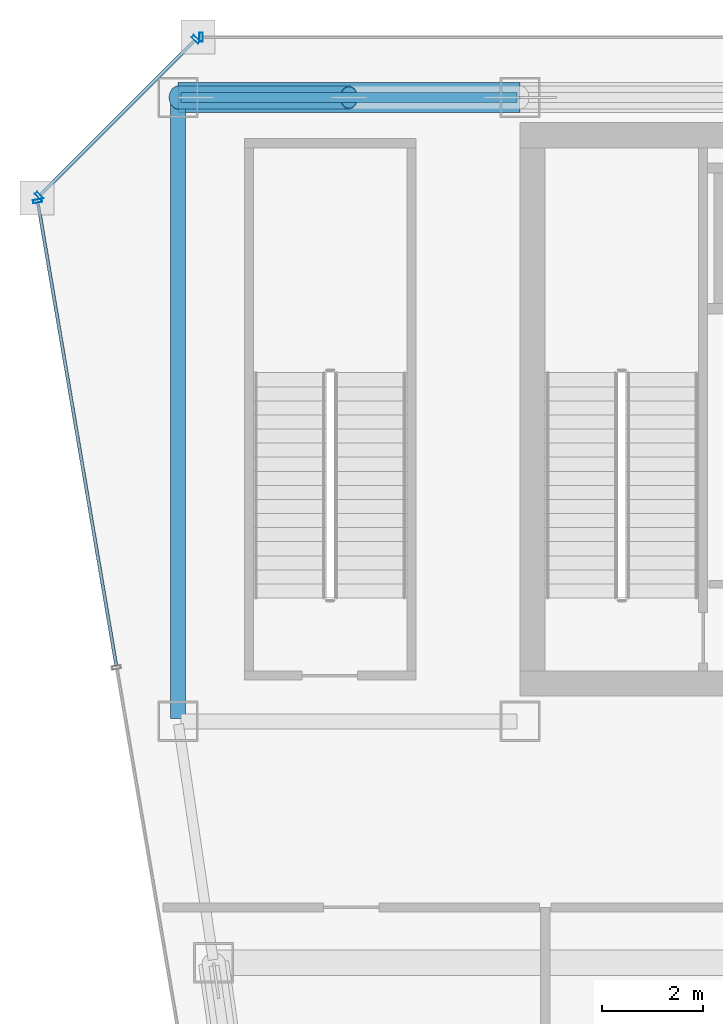
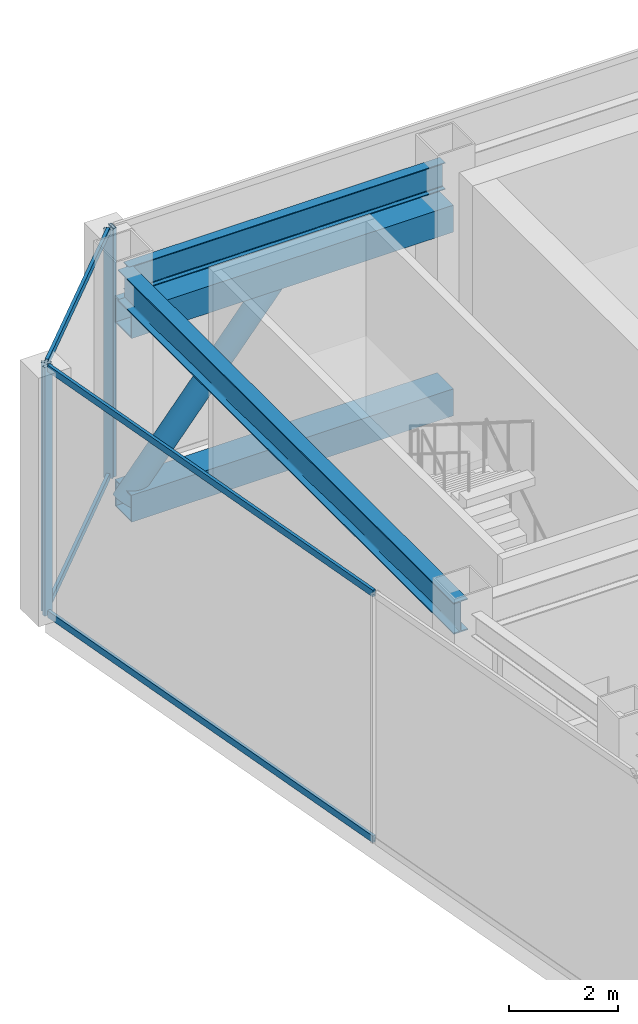
# One storey, part 21 of 34: 11 members, 2 beams, 3 elements without a shape of their own.
"""IFC4 building model written with IfcOpenShell, lengths in metres."""

from ifc_helpers import new_model, si_unit, direction, frame, origin, origin_2d, place, context, subcontext, project, spatial, hollow_rectangle, hollow_circle, i_section, extrude, material, material_profile, profile_set, type_object, element, aggregate, save


model = new_model("IFC4")

# Units and contexts
model_context = context("Model", 3, precision=1e-05, world=origin(), true_north=direction((0.0, 1.0)))
body_context = subcontext(model_context, "Body", "Model", "MODEL_VIEW")
ifc_project = project(units=[si_unit("LENGTHUNIT", "METRE"), si_unit("AREAUNIT", "SQUARE_METRE"), si_unit("VOLUMEUNIT", "CUBIC_METRE"), si_unit("PLANEANGLEUNIT", "RADIAN"), si_unit("MASSUNIT", "GRAM", prefix="KILO")], contexts=[model_context])

# Site, building, storey
site_placement = place(None, origin())
site = spatial("IfcSite", under=ifc_project, at=site_placement, CompositionType="ELEMENT")
building_placement = place(site_placement, origin())
building = spatial("IfcBuilding", under=site, at=building_placement, Name="Saevonmaru Cultural Tower", CompositionType="ELEMENT")
storey_placement = place(building_placement, frame((0.0, 0.0, 224.60009765625)))
storey = spatial("IfcBuildingStorey", under=building, at=storey_placement, Name="L52", CompositionType="ELEMENT", Elevation=224.60009765625)

# Beams
ifc_material_1 = material(Name="Steel SM355", Category="steel")
ifc_material_profile_1 = material_profile(ifc_material_1, i_section(OverallWidth=0.300048828125, OverallDepth=0.699951171875, WebThickness=0.012939453125, FlangeThickness=0.02392578125, FilletRadius=0.02587890625, at=origin_2d()), Name="H-700x300x13x24")
ifc_profile_set_1 = profile_set([ifc_material_profile_1], Name="Steel SM355")
beam_type_1 = type_object("IfcBeamType", Name="BM-G-H700", PredefinedType="BEAM", material=ifc_profile_set_1)
beam_1_placement = place(storey_placement, frame((6.800048828125, 54.739990234375, 5.199951171875), z_axis=(0.0, -1.0, 0.0), x_axis=(1.0, 0.0, 0.0)))
element("IfcBeam", 1, at=beam_1_placement, inside=storey, type_object=beam_type_1, Name="L52 Spine Transverse Girder W", PredefinedType="BEAM", context=body_context, shape_type="SweptSolid", body=[
    extrude(i_section(OverallWidth=0.300048828125, OverallDepth=0.699951171875, WebThickness=0.012939453125, FlangeThickness=0.02392578125, FilletRadius=0.02587890625, at=origin_2d()), origin(), (0.0, 0.0, 1.0), 12.280029296875),
])
ifc_material_profile_2 = material_profile(ifc_material_1, i_section(OverallWidth=0.199951171875, OverallDepth=0.60009765625, WebThickness=0.010986328125, FlangeThickness=0.01708984375, FilletRadius=0.02197265625, at=origin_2d()), Name="H-600x200x11x17")
ifc_profile_set_2 = profile_set([ifc_material_profile_2], Name="Steel SM355")
beam_type_2 = type_object("IfcBeamType", Name="BM-SP-H600", PredefinedType="SPANDREL", material=ifc_profile_set_2)
beam_2_placement = place(storey_placement, frame((6.860107421875, 54.800048828125, 5.25), z_axis=(1.0, 0.0, 0.0), x_axis=(0.0, 1.0, 0.0)))
element("IfcBeam", 2, at=beam_2_placement, inside=storey, type_object=beam_type_2, Name="L52 North Spine Girder 1", PredefinedType="SPANDREL", context=body_context, shape_type="SweptSolid", body=[
    extrude(i_section(OverallWidth=0.199951171875, OverallDepth=0.60009765625, WebThickness=0.010986328125, FlangeThickness=0.01708984375, FilletRadius=0.02197265625, at=origin_2d()), origin(), (0.0, 0.0, 1.0), 6.679931640625),
])

# Members
ifc_material_2 = material(Name="Steel SM420", Category="steel")
ifc_material_profile_3 = material_profile(ifc_material_2, hollow_circle(Radius=0.228515625, WallThickness=0.02001953125, at=origin_2d()), Name="CHS-457.2x20")
ifc_profile_set_3 = profile_set([ifc_material_profile_3], Name="Steel SM420")
member_type_1 = type_object("IfcMemberType", Name="MB-OBR-CHS457", PredefinedType="BRACE", material=ifc_profile_set_3)
member_1_placement = place(storey_placement, frame((6.800048828125, 54.800048828125, 0.2998046875), z_axis=(0.638315996762, 0.0, 0.76977443987), x_axis=(0.0, 1.0, 0.0)))
element("IfcMember", 3, at=member_1_placement, inside=storey, type_object=member_type_1, Name="L52 Outrigger Truss Diagonal OW2-1", PredefinedType="BRACE", context=body_context, shape_type="SweptSolid", body=[
    extrude(hollow_circle(Radius=0.228515625, WallThickness=0.02001953125, at=origin_2d()), origin(), (0.0, 0.0, 1.0), 5.326416015625),
])
ifc_material_profile_4 = material_profile(ifc_material_2, hollow_rectangle(XDim=0.60009765625, YDim=0.60009765625, WallThickness=0.028076171875, at=origin_2d()), Name="BOX-600x600x28")
ifc_profile_set_4 = profile_set([ifc_material_profile_4], Name="Steel SM420")
member_type_2 = type_object("IfcMemberType", Name="MB-OCH-BOX600", PredefinedType="CHORD", material=ifc_profile_set_4)
for number, where, z_axis, x_axis, name in (
    (4, (6.800048828125, 54.800048828125, 0.2998046875), (1.0, 0.0, 0.0), (0.0, 1.0, 0.0), "L52 Outrigger Truss Bottom Chord OW2"),
    (5, (6.800048828125, 54.800048828125, 4.39990234375), (1.0, 0.0, 0.0), (0.0, 1.0, 0.0), "L52 Outrigger Truss Top Chord OW2"),
):
    element("IfcMember", number, at=place(storey_placement, frame(where, z_axis=z_axis, x_axis=x_axis)), inside=storey, type_object=member_type_2, Name=name, PredefinedType="CHORD", context=body_context, shape_type="SweptSolid", body=[
        extrude(hollow_rectangle(XDim=0.60009765625, YDim=0.60009765625, WallThickness=0.028076171875, at=origin_2d()), origin(), (0.0, 0.0, 1.0), 6.800048828125),
    ])

# Curtain wall, member
ifc_material_3 = material(Name="Satin Bronze Anodised Aluminium", Category="aluminium")
curtain_wall_type = type_object("IfcCurtainWallType", Name="CW-TYP-B", PredefinedType="NOTDEFINED", material=ifc_material_3)
curtain_wall_1_placement = place(storey_placement, origin())
curtain_wall_1 = element("IfcCurtainWall", 6, at=curtain_wall_1_placement, inside=storey, type_object=curtain_wall_type, Name="L52 Wind-Floor Acoustic Louvre Screen E10", PredefinedType="NOTDEFINED")
ifc_material_profile_5 = material_profile(ifc_material_3, hollow_rectangle(XDim=0.06494140625, YDim=0.179931640625, WallThickness=0.00390625, at=origin_2d()), Name="ALU-MULL-180x65x4")
ifc_profile_set_5 = profile_set([ifc_material_profile_5], Name="Satin Bronze Anodised Aluminium")
member_type_3 = type_object("IfcMemberType", Name="ML-CW-180x65", PredefinedType="MULLION", material=ifc_profile_set_5)
member_2_placement = place(storey_placement, frame((7.260009765625, 56.0, 0.0), z_axis=(0.0, 0.0, 1.0), x_axis=(-1.0, 0.0, 0.0)))
member_2 = element("IfcMember", 7, at=member_2_placement, type_object=member_type_3, Name="CW-TW-L52-E10 mullion 5", PredefinedType="MULLION", context=body_context, shape_type="SweptSolid", body=[
    extrude(hollow_rectangle(XDim=0.06494140625, YDim=0.179931640625, WallThickness=0.00390625, at=origin_2d()), origin(), (0.0, 0.0, 1.0), 5.5498046875),
])
aggregate(curtain_wall_1, [member_2])

# Curtain wall, members
curtain_wall_2_placement = place(storey_placement, origin())
curtain_wall_2 = element("IfcCurtainWall", 8, at=curtain_wall_2_placement, inside=storey, type_object=curtain_wall_type, Name="L52 Wind-Floor Acoustic Louvre Screen E11", PredefinedType="NOTDEFINED")
member_3_placement = place(storey_placement, frame((7.15771484375, 55.95751953125, 0.0), z_axis=(0.0, 0.0, 1.0), x_axis=(-0.707106781187, -0.707106781187, 0.0)))
member_3 = element("IfcMember", 9, at=member_3_placement, type_object=member_type_3, Name="CW-TW-L52-E11 mullion 1", PredefinedType="MULLION", context=body_context, shape_type="SweptSolid", body=[
    extrude(hollow_rectangle(XDim=0.06494140625, YDim=0.179931640625, WallThickness=0.00390625, at=origin_2d()), origin(), (0.0, 0.0, 1.0), 5.5498046875),
])
member_4_placement = place(storey_placement, frame((4.04248046875, 52.84228515625, 0.0), z_axis=(0.0, 0.0, 1.0), x_axis=(-0.707106781187, -0.707106781187, 0.0)))
member_4 = element("IfcMember", 10, at=member_4_placement, type_object=member_type_3, Name="CW-TW-L52-E11 mullion 2", PredefinedType="MULLION", context=body_context, shape_type="SweptSolid", body=[
    extrude(hollow_rectangle(XDim=0.06494140625, YDim=0.179931640625, WallThickness=0.00390625, at=origin_2d()), origin(), (0.0, 0.0, 1.0), 5.5498046875),
])

# Curtain wall, member
curtain_wall_3_placement = place(storey_placement, origin())
curtain_wall_3 = element("IfcCurtainWall", 11, at=curtain_wall_3_placement, inside=storey, type_object=curtain_wall_type, Name="L52 Wind-Floor Acoustic Louvre Screen E12", PredefinedType="NOTDEFINED")
member_5_placement = place(storey_placement, frame((4.010009765625, 52.74072265625, 0.0), z_axis=(0.0, 0.0, 1.0), x_axis=(0.16692169721, -0.985970155228, 0.0)))
member_5 = element("IfcMember", 12, at=member_5_placement, type_object=member_type_3, Name="CW-TW-L52-E12 mullion 1", PredefinedType="MULLION", context=body_context, shape_type="SweptSolid", body=[
    extrude(hollow_rectangle(XDim=0.06494140625, YDim=0.179931640625, WallThickness=0.00390625, at=origin_2d()), origin(), (0.0, 0.0, 1.0), 5.5498046875),
])

# Member
ifc_material_profile_6 = material_profile(ifc_material_3, hollow_rectangle(XDim=0.06494140625, YDim=0.14990234375, WallThickness=0.00390625, at=origin_2d()), Name="ALU-TRAN-150x65x4")
ifc_profile_set_6 = profile_set([ifc_material_profile_6], Name="Satin Bronze Anodised Aluminium")
member_type_4 = type_object("IfcMemberType", Name="TR-CW-150x65", PredefinedType="USERDEFINED", material=ifc_profile_set_6)
member_6_placement = place(storey_placement, frame((7.134521484375, 55.9345703125, 0.032470703125), z_axis=(-0.707106781187, -0.707106781187, 0.0), x_axis=(0.707106781187, -0.707106781187, 0.0)))
member_6 = element("IfcMember", 13, at=member_6_placement, type_object=member_type_4, Name="CW-TW-L52-E11 transom 1.1", ObjectType="TRANSOM", PredefinedType="USERDEFINED", context=body_context, shape_type="SweptSolid", body=[
    extrude(hollow_rectangle(XDim=0.06494140625, YDim=0.14990234375, WallThickness=0.00390625, at=origin_2d()), origin(), (0.0, 0.0, 1.0), 4.34033203125),
])

member_7_placement = place(storey_placement, frame((7.134521484375, 55.9345703125, 5.517333984375), z_axis=(-0.707106781187, -0.707106781187, 0.0), x_axis=(0.707106781187, -0.707106781187, 0.0)))
member_7 = element("IfcMember", 14, at=member_7_placement, type_object=member_type_4, Name="CW-TW-L52-E11 transom 1.2", ObjectType="TRANSOM", PredefinedType="USERDEFINED", context=body_context, shape_type="SweptSolid", body=[
    extrude(hollow_rectangle(XDim=0.06494140625, YDim=0.14990234375, WallThickness=0.00390625, at=origin_2d()), origin(), (0.0, 0.0, 1.0), 4.34033203125),
])

aggregate(curtain_wall_2, [member_3, member_4, member_6, member_7])

member_8_placement = place(storey_placement, frame((4.015380859375, 52.708740234375, 0.032470703125), z_axis=(0.166921263871, -0.985970228591, 0.0), x_axis=(0.985970228591, 0.166921263871, 0.0)))
member_8 = element("IfcMember", 15, at=member_8_placement, type_object=member_type_4, Name="CW-TW-L52-E12 transom 1.1", ObjectType="TRANSOM", PredefinedType="USERDEFINED", context=body_context, shape_type="SweptSolid", body=[
    extrude(hollow_rectangle(XDim=0.06494140625, YDim=0.14990234375, WallThickness=0.00390625, at=origin_2d()), origin(), (0.0, 0.0, 1.0), 9.33740234375),
])

member_9_placement = place(storey_placement, frame((4.015380859375, 52.708740234375, 5.517333984375), z_axis=(0.166921263871, -0.985970228591, 0.0), x_axis=(0.985970228591, 0.166921263871, 0.0)))
member_9 = element("IfcMember", 16, at=member_9_placement, type_object=member_type_4, Name="CW-TW-L52-E12 transom 1.2", ObjectType="TRANSOM", PredefinedType="USERDEFINED", context=body_context, shape_type="SweptSolid", body=[
    extrude(hollow_rectangle(XDim=0.06494140625, YDim=0.14990234375, WallThickness=0.00390625, at=origin_2d()), origin(), (0.0, 0.0, 1.0), 9.33740234375),
])

aggregate(curtain_wall_3, [member_5, member_8, member_9])

save(model, "model.ifc")
